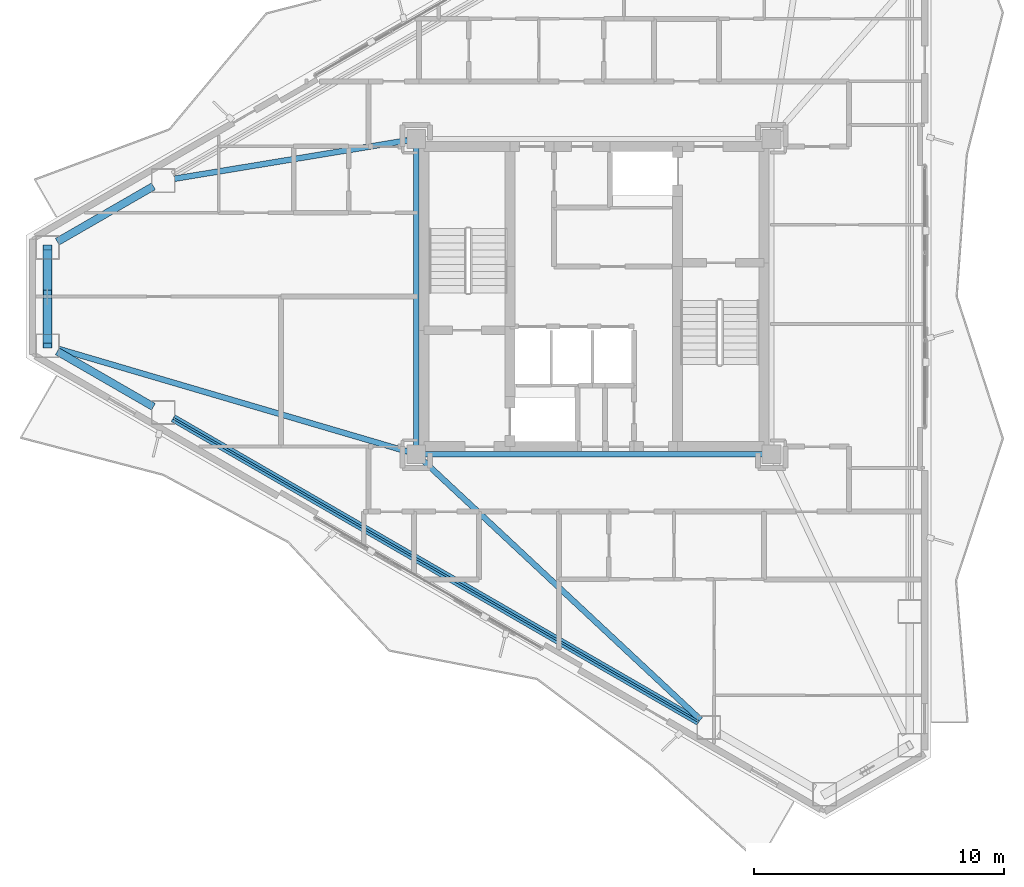
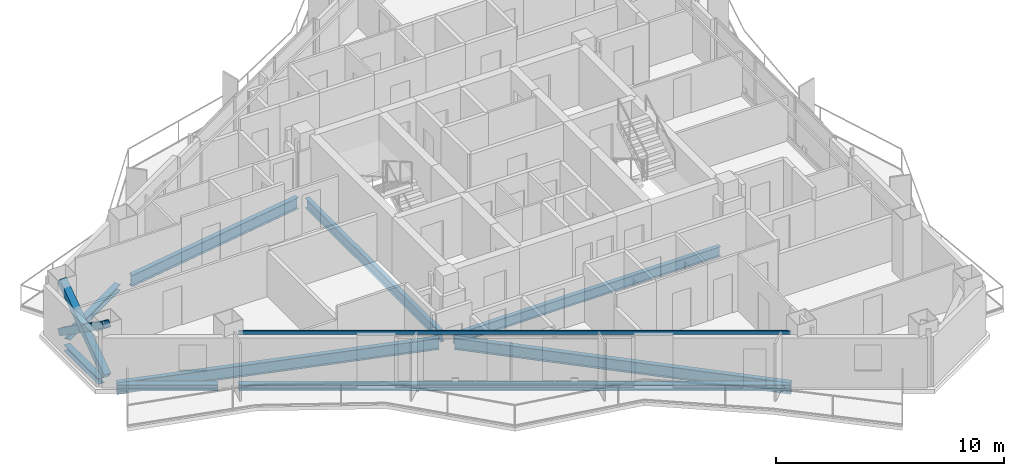
# One storey, part 4 of 19: 10 beams, 3 members.
"""IFC4 building model written with IfcOpenShell, lengths in metres."""

import ifcopenshell
import ifcopenshell.guid

model = None  # the IFC model being written
_history = None  # IfcOwnerHistory: only IFC2X3 demands one
_inside = {}  # id of a spatial element -> (the spatial element, [elements in it])
_under = {}  # id of a project, library or spatial element -> (it, [spatial elements below it])
_declared = {}  # id of a project -> (the project, [libraries it declares])
_typed = {}  # id of a type object -> (the type object, [elements of that type])
_made_of = {}  # id of a material, layer set ... -> (it, [elements and type objects made of it])


def new_model(schema):
    """Start an empty IFC model of exactly this schema.

    Asked for "IFC4X3", IfcOpenShell would pick the latest addendum, in which some entities
    have other attributes; the version numbers below select the first issue.
    IFC2X3 requires an IfcOwnerHistory on every rooted entity: one is made here for all.
    """
    global model, _history
    if schema == "IFC4X3":
        model = ifcopenshell.file(schema_version=(4, 3, 0, 0))
    else:
        model = ifcopenshell.file(schema=schema)
    _inside.clear()
    _under.clear()
    _declared.clear()
    _typed.clear()
    _made_of.clear()
    _history = None
    if model.schema == "IFC2X3":
        org = make("IfcOrganization", Name="unknown")
        user = make(
            "IfcPersonAndOrganization",
            ThePerson=make("IfcPerson", FamilyName="unknown"),
            TheOrganization=org,
        )
        app = make(
            "IfcApplication",
            ApplicationDeveloper=org,
            Version="unknown",
            ApplicationFullName="unknown",
            ApplicationIdentifier="unknown",
        )
        _history = make(
            "IfcOwnerHistory",
            OwningUser=user,
            OwningApplication=app,
            ChangeAction="ADDED",
            CreationDate=0,
        )
    return model


def make(cls, **values):
    """One entity of the class cls with the attributes given. An attribute that is None is left unset."""
    return model.create_entity(
        cls, **{name: value for name, value in values.items() if value is not None}
    )


def rooted(cls, **values):
    """An entity with a GlobalId (a new one), such as an element, a storey or a relation."""
    return make(cls, GlobalId=ifcopenshell.guid.new(), OwnerHistory=_history, **values)


def si_unit(unit_type, name, prefix=None):
    """IfcSIUnit, for example si_unit("LENGTHUNIT", "METRE", prefix="MILLI")."""
    return make("IfcSIUnit", UnitType=unit_type, Prefix=prefix, Name=name)


def assignment(units):
    """IfcUnitAssignment: the units of a project."""
    return None if units is None else make("IfcUnitAssignment", Units=units)


def point(xyz):
    """IfcCartesianPoint."""
    return None if xyz is None else make("IfcCartesianPoint", Coordinates=xyz)


def direction(xyz):
    """IfcDirection."""
    return None if xyz is None else make("IfcDirection", DirectionRatios=xyz)


def frame(location, z_axis=None, x_axis=None):
    """IfcAxis2Placement3D, a coordinate frame: its origin and axes. An axis left out is left unset."""
    return make(
        "IfcAxis2Placement3D",
        Location=point(location),
        Axis=direction(z_axis),
        RefDirection=direction(x_axis),
    )


def frame_2d(location, x_axis=None):
    """IfcAxis2Placement2D, a coordinate frame in the plane: its origin and x axis."""
    return make(
        "IfcAxis2Placement2D", Location=point(location), RefDirection=direction(x_axis)
    )


def origin():
    """The frame at (0, 0, 0) with its axes left unset."""
    return frame((0.0, 0.0, 0.0))


def origin_2d():
    """The frame at (0, 0) in the plane with its x axis left unset."""
    return frame_2d((0.0, 0.0))


def place(relative_to, where):
    """IfcLocalPlacement: puts the frame where relative to a parent placement (None: the world)."""
    return make(
        "IfcLocalPlacement", PlacementRelTo=relative_to, RelativePlacement=where
    )


def context(
    kind, dimensions, precision=None, world=None, true_north=None, identifier=None
):
    """IfcGeometricRepresentationContext, for example the 3D "Model" context."""
    return make(
        "IfcGeometricRepresentationContext",
        ContextIdentifier=identifier,
        ContextType=kind,
        CoordinateSpaceDimension=dimensions,
        Precision=precision,
        WorldCoordinateSystem=world,
        TrueNorth=true_north,
    )


def subcontext(parent, identifier, kind, view, scale=None):
    """IfcGeometricRepresentationSubContext, for example "Body" below "Model"."""
    return make(
        "IfcGeometricRepresentationSubContext",
        ContextIdentifier=identifier,
        ContextType=kind,
        ParentContext=parent,
        TargetScale=scale,
        TargetView=view,
    )


def project(units=None, contexts=None):
    """IfcProject with its units and contexts."""
    return rooted(
        "IfcProject",
        Name="project",
        RepresentationContexts=contexts,
        UnitsInContext=assignment(units),
    )


def spatial(cls, under=None, at=None, **own):
    """A site, building, storey or space (cls), placed at a placement, below another one or the project."""
    s = rooted(cls, ObjectPlacement=at, **own)
    if under is not None:
        _under.setdefault(under.id(), (under, []))[1].append(s)
    return s


def profile(cls, at=None, kind="AREA", **sizes):
    """A parametric profile (cls). Its sizes go by their IFC names, for example OverallWidth=200.0."""
    return make(cls, ProfileType=kind, Position=at, **sizes)


def hollow_rectangle(**sizes):
    """IfcRectangleHollowProfileDef."""
    return profile("IfcRectangleHollowProfileDef", **sizes)


def i_section(**sizes):
    """IfcIShapeProfileDef."""
    return profile("IfcIShapeProfileDef", **sizes)


def extrude(swept, where, along, depth):
    """IfcExtrudedAreaSolid: the profile swept, set in the frame where, extruded along a direction by depth."""
    return make(
        "IfcExtrudedAreaSolid",
        SweptArea=swept,
        Position=where,
        ExtrudedDirection=direction(along),
        Depth=depth,
    )


def shape(context_of_items, identifier, shape_type, items):
    """IfcShapeRepresentation: the items that make up one representation, for example the "Body"."""
    return make(
        "IfcShapeRepresentation",
        ContextOfItems=context_of_items,
        RepresentationIdentifier=identifier,
        RepresentationType=shape_type,
        Items=items,
    )


def material(Name=None, Category=None):
    """IfcMaterial."""
    return make("IfcMaterial", Name=Name, Category=Category)


def material_profile(
    of_material, cross_section, Name=None, Category=None, Priority=None
):
    """IfcMaterialProfile: a cross section and its material."""
    return make(
        "IfcMaterialProfile",
        Name=Name,
        Material=of_material,
        Profile=cross_section,
        Priority=Priority,
        Category=Category,
    )


def profile_set(profiles, Name=None, composite=None):
    """IfcMaterialProfileSet."""
    return make(
        "IfcMaterialProfileSet",
        Name=Name,
        MaterialProfiles=profiles,
        CompositeProfile=composite,
    )


def made_of(thing, what):
    """Note that an element or type object is made of a material, layer set ...; save() writes the relation."""
    if what is not None:
        _made_of.setdefault(what.id(), (what, []))[1].append(thing)
    return thing


def type_object(cls, material=None, **own):
    """A type object (cls), such as IfcWallType, which elements share."""
    return made_of(rooted(cls, **own), material)


def element(
    cls,
    number,
    at=None,
    inside=None,
    cuts=None,
    type_object=None,
    material=None,
    context=None,
    identifier="Body",
    shape_type=None,
    held_by="IfcProductDefinitionShape",
    body=None,
    shapes=None,
    **own,
):
    """One element of the class cls, such as IfcWall. Its Tag is "e" and its number.

    at: its placement. inside: the storey or other place that contains it. cuts: it is an
    opening in that element (IfcRelVoidsElement). A single representation is given by context,
    identifier, shape_type and body (its items); several are given by shapes. held_by: the class
    of the entity that holds the representations. save() writes the other relations.
    """
    e = rooted(cls, Tag="e%d" % number, ObjectPlacement=at, **own)
    if body is not None:
        shapes = [shape(context, identifier, shape_type, body)]
    if shapes is not None:
        e.Representation = make(held_by, Representations=shapes)
    if inside is not None:
        _inside.setdefault(inside.id(), (inside, []))[1].append(e)
    if cuts is not None:
        rooted(
            "IfcRelVoidsElement", RelatingBuildingElement=cuts, RelatedOpeningElement=e
        )
    if type_object is not None:
        _typed.setdefault(type_object.id(), (type_object, []))[1].append(e)
    return made_of(e, material)


def aggregate(whole, parts):
    """IfcRelAggregates: a whole, such as a stair, and the parts it consists of."""
    return rooted("IfcRelAggregates", RelatingObject=whole, RelatedObjects=parts)


def save(model, path):
    """Write the relations noted so far, then the file.

    IfcRelAggregates (storeys below a building ...), IfcRelContainedInSpatialStructure (elements
    in a storey), IfcRelDefinesByType, IfcRelAssociatesMaterial and IfcRelDeclares: one each for
    every whole, place, type object, material and project.
    """
    for whole, parts in _under.values():
        aggregate(whole, parts)
    for where, things in _inside.values():
        rooted(
            "IfcRelContainedInSpatialStructure",
            RelatedElements=things,
            RelatingStructure=where,
        )
    for kind, things in _typed.values():
        rooted("IfcRelDefinesByType", RelatedObjects=things, RelatingType=kind)
    for what, things in _made_of.values():
        rooted("IfcRelAssociatesMaterial", RelatedObjects=things, RelatingMaterial=what)
    for by, libraries in _declared.values():
        rooted("IfcRelDeclares", RelatingContext=by, RelatedDefinitions=libraries)
    model.write(path)


model = new_model("IFC4")

# Units and contexts
model_context = context("Model", 3, precision=1e-05, world=origin(), true_north=direction((0.0, 1.0)))
body_context = subcontext(model_context, "Body", "Model", "MODEL_VIEW")
ifc_project = project(units=[si_unit("LENGTHUNIT", "METRE"), si_unit("AREAUNIT", "SQUARE_METRE"), si_unit("VOLUMEUNIT", "CUBIC_METRE"), si_unit("PLANEANGLEUNIT", "RADIAN"), si_unit("MASSUNIT", "GRAM", prefix="KILO")], contexts=[model_context])

# Site, building, storey
site_placement = place(None, origin())
site = spatial("IfcSite", under=ifc_project, at=site_placement, CompositionType="ELEMENT")
building_placement = place(site_placement, origin())
building = spatial("IfcBuilding", under=site, at=building_placement, Name="Mersakhor Tower and Convention Hall", CompositionType="ELEMENT")
storey_placement = place(building_placement, frame((0.0, 0.0, 131.10009765625)))
storey = spatial("IfcBuildingStorey", under=building, at=storey_placement, Name="L36", CompositionType="ELEMENT", Elevation=131.10009765625)

# Beams
ifc_material_1 = material(Name="Steel S355", Category="steel")
ifc_material_profile_1 = material_profile(ifc_material_1, i_section(OverallWidth=0.2099609375, OverallDepth=0.53662109375, WebThickness=0.0107421875, FlangeThickness=0.017333984375, at=origin_2d()), Name="UB 533x210x101")
ifc_profile_set_1 = profile_set([ifc_material_profile_1], Name="Steel S355")
beam_type_1 = type_object("IfcBeamType", Name="BM-FB-533", PredefinedType="BEAM", material=ifc_profile_set_1)
beam_1_placement = place(storey_placement, frame((21.89990234375, 20.804931640625, -0.50830078125), z_axis=(0.0, 1.0, 0.0), x_axis=(-1.0, 0.0, 0.0)))
element("IfcBeam", 1, at=beam_1_placement, inside=storey, type_object=beam_type_1, Name="L36 Core Ring Tie Beam CRB-1", PredefinedType="BEAM", context=body_context, shape_type="SweptSolid", body=[
    extrude(i_section(OverallWidth=0.2099609375, OverallDepth=0.53662109375, WebThickness=0.0107421875, FlangeThickness=0.017333984375, at=origin_2d()), origin(), (0.0, 0.0, 1.0), 11.89013671875),
])
beam_2_placement = place(storey_placement, frame((35.7451171875, 20.449951171875, -0.50830078125), z_axis=(-1.0, 0.0, 0.0), x_axis=(0.0, -1.0, 0.0)))
element("IfcBeam", 2, at=beam_2_placement, inside=storey, type_object=beam_type_1, Name="L36 Core Ring Tie Beam CRB-4", PredefinedType="BEAM", context=body_context, shape_type="SweptSolid", body=[
    extrude(i_section(OverallWidth=0.2099609375, OverallDepth=0.53662109375, WebThickness=0.0107421875, FlangeThickness=0.017333984375, at=origin_2d()), origin(), (0.0, 0.0, 1.0), 13.490234375),
])
ifc_material_2 = material(Name="Steel S355", Category="steel")
ifc_material_profile_2 = material_profile(ifc_material_2, hollow_rectangle(XDim=0.080078125, YDim=0.179931640625, WallThickness=0.008056640625, at=origin_2d()), Name="RHS 180x80x8")
ifc_profile_set_2 = profile_set([ifc_material_profile_2], Name="Steel S355")
beam_type_2 = type_object("IfcBeamType", Name="BM-GRT-RHS180", PredefinedType="USERDEFINED", material=ifc_profile_set_2)
beam_3_placement = place(storey_placement, frame((33.198486328125, 9.754638671875, 2.47998046875), z_axis=(-0.866027433267, 0.499996484816, 0.0), x_axis=(-0.499996484816, -0.866027433267, 0.0)))
element("IfcBeam", 3, at=beam_3_placement, inside=storey, type_object=beam_type_2, Name="L36 Facade Support Girt GRT-F3", ObjectType="GIRT", PredefinedType="USERDEFINED", context=body_context, shape_type="SweptSolid", body=[
    extrude(hollow_rectangle(XDim=0.080078125, YDim=0.179931640625, WallThickness=0.008056640625, at=origin_2d()), origin(), (0.0, 0.0, 1.0), 24.267333984375),
])
ifc_material_3 = material(Name="Steel S355", Category="steel")
ifc_material_profile_3 = material_profile(ifc_material_3, i_section(OverallWidth=0.22900390625, OverallDepth=0.6123046875, WebThickness=0.011962890625, FlangeThickness=0.01953125, at=origin_2d()), Name="UB 610x229x125")
ifc_profile_set_3 = profile_set([ifc_material_profile_3], Name="Steel S355")
beam_type_3 = type_object("IfcBeamType", Name="BM-PR-610", PredefinedType="BEAM", material=ifc_profile_set_3)
beam_4_placement = place(storey_placement, frame((21.5498046875, 32.9921875, -0.546142578125), z_axis=(-0.986703962282, -0.162527815515, 0.0), x_axis=(0.162527815515, -0.986703962282, 0.0)))
element("IfcBeam", 4, at=beam_4_placement, inside=storey, type_object=beam_type_3, Name="L36 Primary Floor Girder FG-1", PredefinedType="BEAM", context=body_context, shape_type="SweptSolid", body=[
    extrude(i_section(OverallWidth=0.22900390625, OverallDepth=0.6123046875, WebThickness=0.011962890625, FlangeThickness=0.01953125, at=origin_2d()), origin(), (0.0, 0.0, 1.0), 9.43798828125),
])
beam_5_placement = place(storey_placement, frame((22.159423828125, 20.207763671875, -0.546142578125), z_axis=(0.730740936679, -0.682654878736, 0.0), x_axis=(0.682654878736, 0.730740936679, 0.0)))
element("IfcBeam", 5, at=beam_5_placement, inside=storey, type_object=beam_type_3, Name="L36 Primary Floor Girder FG-5", PredefinedType="BEAM", context=body_context, shape_type="SweptSolid", body=[
    extrude(i_section(OverallWidth=0.22900390625, OverallDepth=0.6123046875, WebThickness=0.011962890625, FlangeThickness=0.01953125, at=origin_2d()), origin(), (0.0, 0.0, 1.0), 15.19091796875),
])
beam_6_placement = place(storey_placement, frame((21.559326171875, 20.55029296875, -0.546142578125), z_axis=(-0.959324090351, 0.282307083992, 0.0), x_axis=(-0.282307083992, -0.959324090351, 0.0)))
element("IfcBeam", 6, at=beam_6_placement, inside=storey, type_object=beam_type_3, Name="L36 Primary Floor Girder FG-6", PredefinedType="BEAM", context=body_context, shape_type="SweptSolid", body=[
    extrude(i_section(OverallWidth=0.22900390625, OverallDepth=0.6123046875, WebThickness=0.011962890625, FlangeThickness=0.01953125, at=origin_2d()), origin(), (0.0, 0.0, 1.0), 14.5546875),
])
ifc_material_4 = material(Name="Steel S355", Category="steel")
ifc_material_profile_4 = material_profile(ifc_material_4, i_section(OverallWidth=0.30908203125, OverallDepth=0.320556640625, WebThickness=0.013916015625, FlangeThickness=0.021728515625, at=origin_2d()), Name="UC 305x305x137")
ifc_profile_set_4 = profile_set([ifc_material_profile_4], Name="Steel S355")
beam_type_4 = type_object("IfcBeamType", Name="BM-SPD-UC305", PredefinedType="SPANDREL", material=ifc_profile_set_4)
beam_7_placement = place(storey_placement, frame((7.55419921875, 28.939697265625, -0.400390625), z_axis=(0.866028798401, 0.499994120305, 0.0), x_axis=(-0.499994120305, 0.866028798401, 0.0)))
element("IfcBeam", 7, at=beam_7_placement, inside=storey, type_object=beam_type_4, Name="L36 Perimeter Spandrel Beam SPB-01", PredefinedType="SPANDREL", context=body_context, shape_type="SweptSolid", body=[
    extrude(i_section(OverallWidth=0.30908203125, OverallDepth=0.320556640625, WebThickness=0.013916015625, FlangeThickness=0.021728515625, at=origin_2d()), origin(), (0.0, 0.0, 1.0), 4.43408203125),
])
beam_8_placement = place(storey_placement, frame((33.198486328125, 9.754638671875, -0.400390625), z_axis=(-0.866027433267, 0.499996484816, 0.0), x_axis=(-0.499996484816, -0.866027433267, 0.0)))
element("IfcBeam", 8, at=beam_8_placement, inside=storey, type_object=beam_type_4, Name="L36 Perimeter Spandrel Beam SPB-10", PredefinedType="SPANDREL", context=body_context, shape_type="SweptSolid", body=[
    extrude(i_section(OverallWidth=0.30908203125, OverallDepth=0.320556640625, WebThickness=0.013916015625, FlangeThickness=0.021728515625, at=origin_2d()), origin(), (0.0, 0.0, 1.0), 24.267333984375),
])
beam_9_placement = place(storey_placement, frame((11.394287109375, 22.34326171875, -0.400390625), z_axis=(-0.866028798401, 0.499994120305, 0.0), x_axis=(-0.499994120305, -0.866028798401, 0.0)))
element("IfcBeam", 9, at=beam_9_placement, inside=storey, type_object=beam_type_4, Name="L36 Perimeter Spandrel Beam SPB-11", PredefinedType="SPANDREL", context=body_context, shape_type="SweptSolid", body=[
    extrude(i_section(OverallWidth=0.30908203125, OverallDepth=0.320556640625, WebThickness=0.013916015625, FlangeThickness=0.021728515625, at=origin_2d()), origin(), (0.0, 0.0, 1.0), 4.43408203125),
])
beam_10_placement = place(storey_placement, frame((7.160400390625, 25.24267578125, -0.400390625), z_axis=(0.0, 1.0, 0.0), x_axis=(-1.0, 0.0, 0.0)))
element("IfcBeam", 10, at=beam_10_placement, inside=storey, type_object=beam_type_4, Name="L36 Perimeter Spandrel Beam SPB-12", PredefinedType="SPANDREL", context=body_context, shape_type="SweptSolid", body=[
    extrude(i_section(OverallWidth=0.30908203125, OverallDepth=0.320556640625, WebThickness=0.013916015625, FlangeThickness=0.021728515625, at=origin_2d()), origin(), (0.0, 0.0, 1.0), 3.0146484375),
])

# Members
ifc_material_5 = material(Name="Steel S460", Category="steel")
ifc_material_profile_5 = material_profile(ifc_material_5, hollow_rectangle(XDim=0.35009765625, YDim=0.35009765625, WallThickness=0.02001953125, at=origin_2d()), Name="SHS 350x350x20")
ifc_profile_set_5 = profile_set([ifc_material_profile_5], Name="Steel S460")
member_type = type_object("IfcMemberType", Name="MB-BRC-SHS350", PredefinedType="BRACE", material=ifc_profile_set_5)
member_placement = place(storey_placement, frame((7.160400390625, 24.78759765625, 0.14990234375), z_axis=(0.0, 0.817991748952, 0.575229952843), x_axis=(-1.0, 0.0, 0.0)))
element("IfcMember", 11, at=member_placement, inside=storey, type_object=member_type, Name="L36 Chamfer Braced Frame Diagonal CB-3A", PredefinedType="BRACE", context=body_context, shape_type="SweptSolid", body=[
    extrude(hollow_rectangle(XDim=0.35009765625, YDim=0.35009765625, WallThickness=0.02001953125, at=origin_2d()), origin(), (0.0, 0.0, 1.0), 4.798095703125),
])
for number, where, z_axis, x_axis, name in (
    (12, (7.160400390625, 28.71240234375, 0.14990234375), (0.0, -0.818012878097, 0.575199905483), (1.0, 0.0, 0.0), "L36 Chamfer Braced Frame Diagonal CB-3B Lower Half"),
    (13, (7.160400390625, 26.59130859375, 1.6416015625), (0.0, -0.818012878097, 0.575199905483), (1.0, 0.0, 0.0), "L36 Chamfer Braced Frame Diagonal CB-3B Upper Half"),
):
    element("IfcMember", number, at=place(storey_placement, frame(where, z_axis=z_axis, x_axis=x_axis)), inside=storey, type_object=member_type, Name=name, PredefinedType="BRACE", context=body_context, shape_type="SweptSolid", body=[
        extrude(hollow_rectangle(XDim=0.35009765625, YDim=0.35009765625, WallThickness=0.02001953125, at=origin_2d()), origin(), (0.0, 0.0, 1.0), 2.205078125),
    ])

save(model, "model.ifc")
